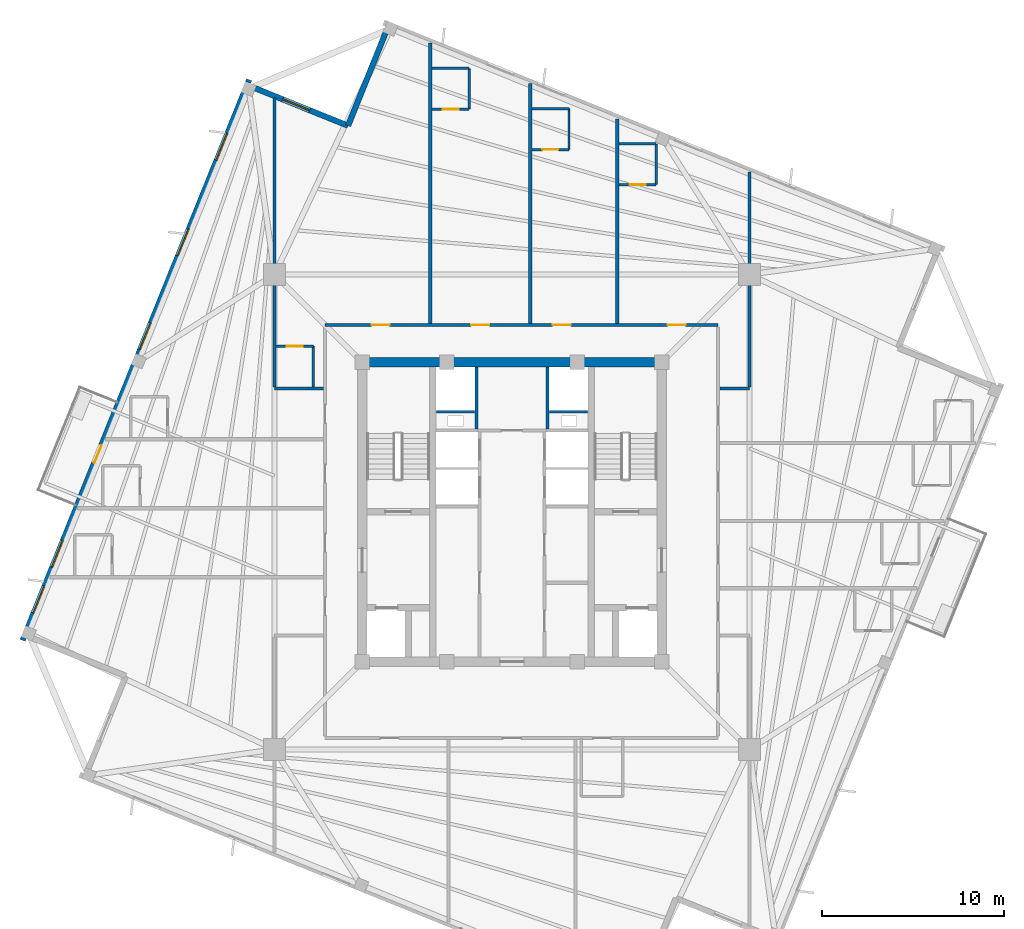
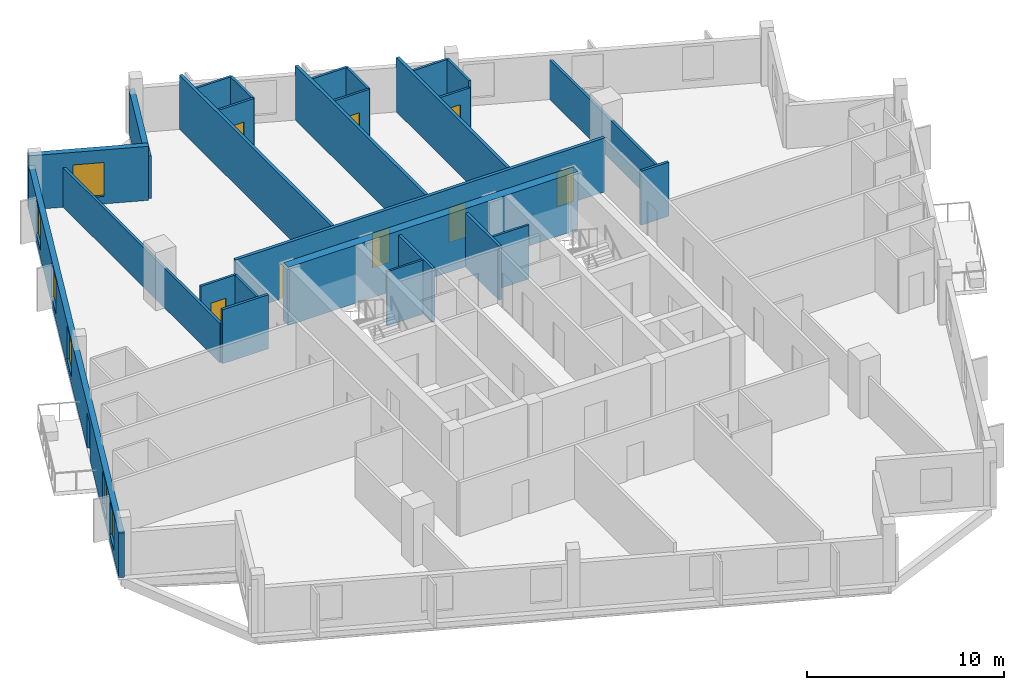
# One storey, part 5 of 9: 27 walls, 9 doors, 6 windows, 15 openings.
"""IFC4 building model written with IfcOpenShell, lengths in metres."""

from ifc_helpers import new_model, si_unit, direction, frame, frame_2d, origin, place, context, subcontext, project, spatial, rectangle, extrude, source, transform, mapped, material, layer, layer_set, type_object, element, fill, save


model = new_model("IFC4")

# Units and contexts
model_context = context("Model", 3, precision=1e-05, world=origin(), true_north=direction((0.0, 1.0)))
body_context = subcontext(model_context, "Body", "Model", "MODEL_VIEW")
ifc_project = project(units=[si_unit("LENGTHUNIT", "METRE"), si_unit("AREAUNIT", "SQUARE_METRE"), si_unit("VOLUMEUNIT", "CUBIC_METRE"), si_unit("PLANEANGLEUNIT", "RADIAN"), si_unit("MASSUNIT", "GRAM", prefix="KILO"), si_unit("THERMODYNAMICTEMPERATUREUNIT", "KELVIN")], contexts=[model_context])

# Site, building, storey
site_placement = place(None, origin())
site = spatial("IfcSite", under=ifc_project, at=site_placement, CompositionType="ELEMENT")
building_placement = place(site_placement, origin())
building = spatial("IfcBuilding", under=site, at=building_placement, Name="Kosmvard Interchange Tower", CompositionType="ELEMENT")
storey_placement = place(building_placement, frame((0.0, 0.0, 301.199951171875)))
storey = spatial("IfcBuildingStorey", under=building, at=storey_placement, Name="L74", CompositionType="ELEMENT", Elevation=301.199951171875)

# Walls
ifc_material_1 = material(Name="Acoustic gypsum partition system")
ifc_layer_1 = layer(ifc_material_1, 0.14990234375, Name="Acoustic gypsum partition system")
ifc_layer_set_1 = layer_set([ifc_layer_1], Name="Acoustic gypsum partition system")
wall_type_1 = type_object("IfcWallType", Name="Acoustic Suite & Meeting Partition 150", PredefinedType="PARTITIONING", material=ifc_layer_set_1)
wall_1_placement = place(storey_placement, frame((-10.39501953125, 6.800048828125, 0.0), z_axis=(0.0, 0.0, 1.0), x_axis=(-1.0, 0.0, 0.0)))
element("IfcWall", 1, at=wall_1_placement, inside=storey, type_object=wall_type_1, Name="L74 Room Partition 12.1", PredefinedType="PARTITIONING", context=body_context, shape_type="SweptSolid", body=[
    extrude(rectangle(XDim=2.68603515625, YDim=0.14990234375, at=frame_2d((1.343017578125, 0.0))), origin(), (0.0, 0.0, 1.0), 3.35009765625),
])
wall_2_placement = place(storey_placement, frame((-13.0810546875, 6.875, 0.0), z_axis=(0.0, 0.0, 1.0), x_axis=(0.0, 1.0, 0.0)))
element("IfcWall", 2, at=wall_2_placement, inside=storey, type_object=wall_type_1, Name="L74 Room Partition 13.1", PredefinedType="PARTITIONING", context=body_context, shape_type="SweptSolid", body=[
    extrude(rectangle(XDim=15.941650390625, YDim=0.14990234375, at=frame_2d((7.970703125, 0.0))), origin(), (0.0, 0.0, 1.0), 2.449951171875),
])
wall_3_placement = place(storey_placement, frame((11.445068359375, 6.800048828125, 0.0), z_axis=(0.0, 0.0, 1.0), x_axis=(1.0, 0.0, 0.0)))
element("IfcWall", 3, at=wall_3_placement, inside=storey, type_object=wall_type_1, Name="L74 Room Partition 14.1", PredefinedType="PARTITIONING", context=body_context, shape_type="SweptSolid", body=[
    extrude(rectangle(XDim=1.635986328125, YDim=0.14990234375, at=frame_2d((0.81787109375, 0.0))), origin(), (0.0, 0.0, 1.0), 3.35009765625),
])
wall_4_placement = place(storey_placement, frame((13.0810546875, 6.875, 0.0), z_axis=(0.0, 0.0, 1.0), x_axis=(0.0, 1.0, 0.0)))
element("IfcWall", 4, at=wall_4_placement, inside=storey, type_object=wall_type_1, Name="L74 Room Partition 15.1", PredefinedType="PARTITIONING", context=body_context, shape_type="SweptSolid", body=[
    extrude(rectangle(XDim=11.8427734375, YDim=0.14990234375, at=frame_2d((5.92138671875, 0.0))), origin(), (0.0, 0.0, 1.0), 2.449951171875),
])
ifc_material_2 = material(Name="Fire-rated gypsum partition system")
ifc_layer_2 = layer(ifc_material_2, 0.159912109375, Name="Fire-rated gypsum partition system")
ifc_layer_set_2 = layer_set([ifc_layer_2], Name="Fire-rated gypsum partition system")
wall_type_2 = type_object("IfcWallType", Name="Core Compartment & Shuttle Lobby Partition 160", PredefinedType="PARTITIONING", material=ifc_layer_set_2)
for number, where, z_axis, x_axis, name in (
    (5, (-1.9599609375, 4.580078125, 0.0), (0.0, 0.0, 1.0), (0.0, 1.0, 0.0), "L74 North Core West Wall"),
    (6, (1.9599609375, 4.580078125, 0.0), (0.0, 0.0, 1.0), (0.0, 1.0, 0.0), "L74 North Core East Wall"),
):
    element("IfcWall", number, at=place(storey_placement, frame(where, z_axis=z_axis, x_axis=x_axis)), inside=storey, type_object=wall_type_2, Name=name, PredefinedType="PARTITIONING", context=body_context, shape_type="SweptSolid", body=[
        extrude(rectangle(XDim=3.39990234375, YDim=0.159912109375, at=frame_2d((1.699951171875, 0.0))), origin(), (0.0, 0.0, 1.0), 3.35009765625),
    ])

# Wall, openings, doors
ifc_layer_3 = layer(ifc_material_2, 0.179931640625, Name="Fire-rated gypsum partition system")
ifc_layer_set_3 = layer_set([ifc_layer_3], Name="Fire-rated gypsum partition system")
wall_type_3 = type_object("IfcWallType", Name="Corridor & Hotel Compartment Partition 180", PredefinedType="PARTITIONING", material=ifc_layer_set_3)
wall_5_placement = place(storey_placement, frame((-10.300048828125, 10.300048828125, 0.0), z_axis=(0.0, 0.0, 1.0), x_axis=(1.0, 0.0, 0.0)))
wall_5 = element("IfcWall", 7, at=wall_5_placement, inside=storey, type_object=wall_type_3, Name="L74 Corridor Wall CN", PredefinedType="PARTITIONING", context=body_context, shape_type="SweptSolid", body=[
    extrude(rectangle(XDim=21.650146484375, YDim=0.179931640625, at=frame_2d((10.8251953125, 0.0))), origin(), (0.0, 0.0, 1.0), 3.35009765625),
])
opening_1_placement = place(wall_5_placement, frame((2.564453125, 0.0, 0.0)))
opening_1 = element("IfcOpeningElement", 8, at=opening_1_placement, cuts=wall_5, Name="Opening L74-D06", PredefinedType="OPENING", context=body_context, shape_type="SweptSolid", body=[
    extrude(rectangle(XDim=1.0, YDim=2.14990234375, at=frame_2d((0.5, 1.074951171875))), frame((0.0, 0.10009765625, 0.0), z_axis=(0.0, -1.0, 0.0), x_axis=(1.0, 0.0, 0.0)), (0.0, 0.0, 1.0), 0.199951171875),
])
opening_2_placement = place(wall_5_placement, frame((8.050048828125, 0.0, 0.0)))
opening_2 = element("IfcOpeningElement", 9, at=opening_2_placement, cuts=wall_5, Name="Opening L74-D08", PredefinedType="OPENING", context=body_context, shape_type="SweptSolid", body=[
    extrude(rectangle(XDim=1.0, YDim=2.14990234375, at=frame_2d((0.5, 1.074951171875))), frame((0.0, 0.10009765625, 0.0), z_axis=(0.0, -1.0, 0.0), x_axis=(1.0, 0.0, 0.0)), (0.0, 0.0, 1.0), 0.199951171875),
])
opening_3_placement = place(wall_5_placement, frame((12.5400390625, 0.0, 0.0)))
opening_3 = element("IfcOpeningElement", 10, at=opening_3_placement, cuts=wall_5, Name="Opening L74-D10", PredefinedType="OPENING", context=body_context, shape_type="SweptSolid", body=[
    extrude(rectangle(XDim=1.0, YDim=2.14990234375, at=frame_2d((0.5, 1.074951171875))), frame((0.0, 0.10009765625, 0.0), z_axis=(0.0, -1.0, 0.0), x_axis=(1.0, 0.0, 0.0)), (0.0, 0.0, 1.0), 0.199951171875),
])
opening_4_placement = place(wall_5_placement, frame((18.87060546875, 0.0, 0.0)))
opening_4 = element("IfcOpeningElement", 11, at=opening_4_placement, cuts=wall_5, Name="Opening L74-D12", PredefinedType="OPENING", context=body_context, shape_type="SweptSolid", body=[
    extrude(rectangle(XDim=1.0, YDim=2.14990234375, at=frame_2d((0.5, 1.074951171875))), frame((0.0, 0.10009765625, 0.0), z_axis=(0.0, -1.0, 0.0), x_axis=(1.0, 0.0, 0.0)), (0.0, 0.0, 1.0), 0.199951171875),
])
ifc_material_3 = material(Name="Engineered oak fire-rated timber", Category="wood")
door_type_1 = type_object("IfcDoorType", Name="Hotel Guestroom Entrance Door 1000x2150 EI60", OperationType="NOTDEFINED", PredefinedType="DOOR", material=ifc_material_3)
shared_shape_1 = source(origin(), body_context, "Body", "SweptSolid", [
    extrude(rectangle(XDim=1.0, YDim=2.14990234375, at=frame_2d((0.5, 1.074951171875))), frame((0.0, 0.02490234375, 0.0), z_axis=(0.0, -1.0, 0.0), x_axis=(1.0, 0.0, 0.0)), (0.0, 0.0, 1.0), 0.050048828125),
])
door_1_placement = place(opening_1_placement, origin())
door_1 = element("IfcDoor", 12, at=door_1_placement, inside=storey, type_object=door_type_1, Name="L74 Hotel Corner Suite 1 Door", OperationType="SINGLE_SWING_RIGHT", OverallHeight=2.14990234375, OverallWidth=1.0, PredefinedType="DOOR", context=body_context, shape_type="MappedRepresentation", body=[
    mapped(shared_shape_1, transform((0.0, 0.0, 0.0), scale=1.0)),
])
fill(opening_1, door_1)
door_2_placement = place(opening_2_placement, origin())
door_2 = element("IfcDoor", 13, at=door_2_placement, inside=storey, type_object=door_type_1, Name="L74 Hotel King Junior Suite 3 Door", OperationType="SINGLE_SWING_RIGHT", OverallHeight=2.14990234375, OverallWidth=1.0, PredefinedType="DOOR", context=body_context, shape_type="MappedRepresentation", body=[
    mapped(shared_shape_1, transform((0.0, 0.0, 0.0), scale=1.0)),
])
fill(opening_2, door_2)
door_3_placement = place(opening_3_placement, origin())
door_3 = element("IfcDoor", 14, at=door_3_placement, inside=storey, type_object=door_type_1, Name="L74 Hotel Twin Guest Room 4 Door", OperationType="SINGLE_SWING_RIGHT", OverallHeight=2.14990234375, OverallWidth=1.0, PredefinedType="DOOR", context=body_context, shape_type="MappedRepresentation", body=[
    mapped(shared_shape_1, transform((0.0, 0.0, 0.0), scale=1.0)),
])
fill(opening_3, door_3)
door_4_placement = place(opening_4_placement, origin())
door_4 = element("IfcDoor", 15, at=door_4_placement, inside=storey, type_object=door_type_1, Name="L74 Hotel Queen Junior Suite 5 Door", OperationType="SINGLE_SWING_RIGHT", OverallHeight=2.14990234375, OverallWidth=1.0, PredefinedType="DOOR", context=body_context, shape_type="MappedRepresentation", body=[
    mapped(shared_shape_1, transform((0.0, 0.0, 0.0), scale=1.0)),
])
fill(opening_4, door_4)

# Walls
wall_6_placement = place(storey_placement, frame((-4.5, 10.39501953125, 0.0), z_axis=(0.0, 0.0, 1.0), x_axis=(0.0, 1.0, 0.0)))
element("IfcWall", 16, at=wall_6_placement, inside=storey, type_object=wall_type_3, Name="L74 Room Partition 01.1", PredefinedType="PARTITIONING", context=body_context, shape_type="SweptSolid", body=[
    extrude(rectangle(XDim=15.42578125, YDim=0.179931640625, at=frame_2d((7.712890625, 0.0))), origin(), (0.0, 0.0, 1.0), 3.35009765625),
])
wall_7_placement = place(storey_placement, frame((1.0, 10.39501953125, 0.0), z_axis=(0.0, 0.0, 1.0), x_axis=(0.0, 1.0, 0.0)))
element("IfcWall", 17, at=wall_7_placement, inside=storey, type_object=wall_type_3, Name="L74 Room Partition 02.1", PredefinedType="PARTITIONING", context=body_context, shape_type="SweptSolid", body=[
    extrude(rectangle(XDim=13.203857421875, YDim=0.179931640625, at=frame_2d((6.60205078125, 0.0))), origin(), (0.0, 0.0, 1.0), 3.35009765625),
])
wall_8_placement = place(storey_placement, frame((5.800048828125, 10.39501953125, 0.0), z_axis=(0.0, 0.0, 1.0), x_axis=(0.0, 1.0, 0.0)))
element("IfcWall", 18, at=wall_8_placement, inside=storey, type_object=wall_type_3, Name="L74 Room Partition 03.1", PredefinedType="PARTITIONING", context=body_context, shape_type="SweptSolid", body=[
    extrude(rectangle(XDim=11.264404296875, YDim=0.179931640625, at=frame_2d((5.63232421875, 0.0))), origin(), (0.0, 0.0, 1.0), 3.35009765625),
])
ifc_material_4 = material(Name="Fire-rated gypsum shaftwall system")
ifc_layer_4 = layer(ifc_material_4, 0.1201171875, Name="Fire-rated gypsum shaftwall system")
ifc_layer_set_4 = layer_set([ifc_layer_4], Name="Fire-rated gypsum shaftwall system")
wall_type_4 = type_object("IfcWallType", Name="Shaft & Riser Fire Partition 120 EI60", PredefinedType="PARTITIONING", material=ifc_layer_set_4)
for number, where, z_axis, x_axis, name in (
    (19, (-4.159912109375, 5.52001953125, 0.0), (0.0, 0.0, 1.0), (1.0, 0.0, 0.0), "L74 Riser Shaft Divider W"),
    (20, (2.06005859375, 5.52001953125, 0.0), (0.0, 0.0, 1.0), (1.0, 0.0, 0.0), "L74 Riser Shaft Divider E"),
):
    element("IfcWall", number, at=place(storey_placement, frame(where, z_axis=z_axis, x_axis=x_axis)), inside=storey, type_object=wall_type_4, Name=name, PredefinedType="PARTITIONING", context=body_context, shape_type="SweptSolid", body=[
        extrude(rectangle(XDim=2.099853515625, YDim=0.1201171875, at=frame_2d((1.0498046875, 0.0))), origin(), (0.0, 0.0, 1.0), 3.35009765625),
    ])
ifc_material_5 = material(Name="Concrete C60/75", Category="concrete")
ifc_layer_5 = layer(ifc_material_5, 0.5, Name="Concrete C60/75")
ifc_layer_set_5 = layer_set([ifc_layer_5], Name="Concrete C60/75")
wall_type_5 = type_object("IfcWallType", Name="Upper Core Shear Wall 500 C60/75", PredefinedType="SHEAR", material=ifc_layer_set_5)
wall_9_placement = place(storey_placement, frame((-8.5, 8.25, 0.0), z_axis=(0.0, 0.0, 1.0), x_axis=(1.0, 0.0, 0.0)))
element("IfcWall", 21, at=wall_9_placement, inside=storey, type_object=wall_type_5, Name="L74 Core Shear Wall CW-N", PredefinedType="SHEAR", context=body_context, shape_type="SweptSolid", body=[
    extrude(rectangle(XDim=17.0, YDim=0.5, at=frame_2d((8.5, 0.0))), origin(), (0.0, 0.0, 1.0), 3.60009765625),
])
ifc_material_6 = material(Name="Precast concrete C45/55", Category="concrete")
ifc_layer_6 = layer(ifc_material_6, 0.31005859375, Name="Precast concrete C45/55")
ifc_layer_set_6 = layer_set([ifc_layer_6], Name="Precast concrete C45/55")
wall_type_6 = type_object("IfcWallType", Name="Upper Tower Precast Pier Wall 310 C45/55", PredefinedType="STANDARD", material=ifc_layer_set_6)
wall_10_placement = place(storey_placement, frame((-6.7841796875, 26.8408203125, 0.0), z_axis=(0.0, 0.0, 1.0), x_axis=(-0.374636620962, -0.927171722085, 0.0)))
element("IfcWall", 22, at=wall_10_placement, inside=storey, type_object=wall_type_6, Name="L74 Precast Facade Wall N-NE1", PredefinedType="STANDARD", context=body_context, shape_type="SweptSolid", body=[
    extrude(rectangle(XDim=6.0, YDim=0.31005859375, at=frame_2d((3.0, 0.0))), origin(), (0.0, 0.0, 1.0), 2.650146484375),
])

# Wall, opening, window
wall_11_placement = place(storey_placement, frame((-9.031982421875, 21.27783203125, 0.0), z_axis=(0.0, 0.0, 1.0), x_axis=(-0.927185411764, 0.374602739196, 0.0)))
wall_11 = element("IfcWall", 23, at=wall_11_placement, inside=storey, type_object=wall_type_6, Name="L74 Precast Facade Wall N-NE2", PredefinedType="STANDARD", context=body_context, shape_type="SweptSolid", body=[
    extrude(rectangle(XDim=6.155029296875, YDim=0.31005859375, at=frame_2d((3.07763671875, 0.0))), origin(), (0.0, 0.0, 1.0), 3.35009765625),
])
opening_5_placement = place(wall_11_placement, frame((2.277587890625, 0.0, 0.469970703125)))
opening_5 = element("IfcOpeningElement", 24, at=opening_5_placement, cuts=wall_11, Name="Opening L74-W20", PredefinedType="OPENING", context=body_context, shape_type="SweptSolid", body=[
    extrude(rectangle(XDim=1.60009765625, YDim=2.10009765625, at=frame_2d((0.800048828125, 1.050048828125))), frame((0.0, 0.1650390625, 0.0), z_axis=(0.0, -1.0, 0.0), x_axis=(1.0, 0.0, 0.0)), (0.0, 0.0, 1.0), 0.330078125),
])
ifc_material_7 = material(Name="Low-E acoustic double glazing", Category="glass")
window_type = type_object("IfcWindowType", Name="Zone 5 Hotel Punched Window 1600x2100", PartitioningType="SINGLE_PANEL", PredefinedType="WINDOW", material=ifc_material_7)
shared_shape_2 = source(origin(), body_context, "Body", "SweptSolid", [
    extrude(rectangle(XDim=1.60009765625, YDim=2.10009765625, at=frame_2d((0.800048828125, 1.050048828125))), frame((0.0, 0.030029296875, 0.0), z_axis=(0.0, -1.0, 0.0), x_axis=(1.0, 0.0, 0.0)), (0.0, 0.0, 1.0), 0.06005859375),
])
window_1_placement = place(opening_5_placement, origin())
window_1 = element("IfcWindow", 25, at=window_1_placement, inside=storey, type_object=window_type, Name="L74 Corner Notch Window 20", OverallHeight=2.10009765625, OverallWidth=1.60009765625, PartitioningType="SINGLE_PANEL", PredefinedType="WINDOW", context=body_context, shape_type="MappedRepresentation", body=[
    mapped(shared_shape_2, transform((0.0, 0.0, 0.0), scale=1.0)),
])
fill(opening_5, window_1)

# Wall, openings, door, windows
wall_12_placement = place(storey_placement, frame((-14.478759765625, 23.812744140625, 0.0), z_axis=(0.0, 0.0, 1.0), x_axis=(-0.374609557019, -0.927182657188, 0.0)))
wall_12 = element("IfcWall", 26, at=wall_12_placement, inside=storey, type_object=wall_type_6, Name="L74 Precast Facade Wall F-N", PredefinedType="STANDARD", context=body_context, shape_type="SweptSolid", body=[
    extrude(rectangle(XDim=33.31005859375, YDim=0.31005859375, at=frame_2d((16.655029296875, 0.0))), origin(), (0.0, 0.0, 1.0), 2.75),
])
opening_6_placement = place(wall_12_placement, frame((21.72998046875, 0.0, 0.0)))
opening_6 = element("IfcOpeningElement", 27, at=opening_6_placement, cuts=wall_12, Name="Opening L74-BDE", PredefinedType="OPENING", context=body_context, shape_type="SweptSolid", body=[
    extrude(rectangle(XDim=1.050048828125, YDim=2.25, at=frame_2d((0.52490234375, 1.125))), frame((0.0, 0.1650390625, 0.0), z_axis=(0.0, -1.0, 0.0), x_axis=(1.0, 0.0, 0.0)), (0.0, 0.0, 1.0), 0.330078125),
])
opening_7_placement = place(wall_12_placement, frame((3.197265625, 0.0, 0.469970703125)))
opening_7 = element("IfcOpeningElement", 28, at=opening_7_placement, cuts=wall_12, Name="Opening L74-W10", PredefinedType="OPENING", context=body_context, shape_type="SweptSolid", body=[
    extrude(rectangle(XDim=1.60009765625, YDim=2.10009765625, at=frame_2d((0.800048828125, 1.050048828125))), frame((0.0, 0.1650390625, 0.0), z_axis=(0.0, -1.0, 0.0), x_axis=(1.0, 0.0, 0.0)), (0.0, 0.0, 1.0), 0.330078125),
])
opening_8_placement = place(wall_12_placement, frame((8.85986328125, 0.0, 0.469970703125)))
opening_8 = element("IfcOpeningElement", 29, at=opening_8_placement, cuts=wall_12, Name="Opening L74-W11", PredefinedType="OPENING", context=body_context, shape_type="SweptSolid", body=[
    extrude(rectangle(XDim=1.60009765625, YDim=2.10009765625, at=frame_2d((0.800048828125, 1.050048828125))), frame((0.0, 0.1650390625, 0.0), z_axis=(0.0, -1.0, 0.0), x_axis=(1.0, 0.0, 0.0)), (0.0, 0.0, 1.0), 0.330078125),
])
opening_9_placement = place(wall_12_placement, frame((14.438720703125, 0.0, 0.469970703125)))
opening_9 = element("IfcOpeningElement", 30, at=opening_9_placement, cuts=wall_12, Name="Opening L74-W12", PredefinedType="OPENING", context=body_context, shape_type="SweptSolid", body=[
    extrude(rectangle(XDim=1.60009765625, YDim=2.10009765625, at=frame_2d((0.800048828125, 1.050048828125))), frame((0.0, 0.1650390625, 0.0), z_axis=(0.0, -1.0, 0.0), x_axis=(1.0, 0.0, 0.0)), (0.0, 0.0, 1.0), 0.330078125),
])
opening_10_placement = place(wall_12_placement, frame((30.0966796875, 0.0, 0.469970703125)))
opening_10 = element("IfcOpeningElement", 31, at=opening_10_placement, cuts=wall_12, Name="Opening L74-W13", PredefinedType="OPENING", context=body_context, shape_type="SweptSolid", body=[
    extrude(rectangle(XDim=1.60009765625, YDim=2.10009765625, at=frame_2d((0.800048828125, 1.050048828125))), frame((0.0, 0.1650390625, 0.0), z_axis=(0.0, -1.0, 0.0), x_axis=(1.0, 0.0, 0.0)), (0.0, 0.0, 1.0), 0.330078125),
])
opening_11_placement = place(wall_12_placement, frame((27.374267578125, 0.0, 0.469970703125)))
opening_11 = element("IfcOpeningElement", 32, at=opening_11_placement, cuts=wall_12, Name="Opening L74-DW24", PredefinedType="OPENING", context=body_context, shape_type="SweptSolid", body=[
    extrude(rectangle(XDim=1.60009765625, YDim=2.10009765625, at=frame_2d((0.800048828125, 1.050048828125))), frame((0.0, 0.1650390625, 0.0), z_axis=(0.0, -1.0, 0.0), x_axis=(1.0, 0.0, 0.0)), (0.0, 0.0, 1.0), 0.330078125),
])
ifc_material_8 = material(Name="Anodised aluminium and safety glass", Category="aluminium")
door_type_2 = type_object("IfcDoorType", Name="Tree-Balcony Glazed Door 1050x2250", OperationType="NOTDEFINED", PredefinedType="DOOR", material=ifc_material_8)
shared_shape_3 = source(origin(), body_context, "Body", "SweptSolid", [
    extrude(rectangle(XDim=1.050048828125, YDim=2.25, at=frame_2d((0.52490234375, 1.125))), frame((0.0, 0.02490234375, 0.0), z_axis=(0.0, -1.0, 0.0), x_axis=(1.0, 0.0, 0.0)), (0.0, 0.0, 1.0), 0.050048828125),
])
door_5_placement = place(opening_6_placement, origin())
door_5 = element("IfcDoor", 33, at=door_5_placement, inside=storey, type_object=door_type_2, Name="L74 Tree-Balcony Door BAL-L74-NE", OperationType="SINGLE_SWING_LEFT", OverallHeight=2.25, OverallWidth=1.050048828125, PredefinedType="DOOR", context=body_context, shape_type="MappedRepresentation", body=[
    mapped(shared_shape_3, transform((0.0, 0.0, 0.0), scale=1.0)),
])
fill(opening_6, door_5)
window_2_placement = place(opening_7_placement, origin())
window_2 = element("IfcWindow", 34, at=window_2_placement, inside=storey, type_object=window_type, Name="L74 Facade Punched Window 10", OverallHeight=2.10009765625, OverallWidth=1.60009765625, PartitioningType="SINGLE_PANEL", PredefinedType="WINDOW", context=body_context, shape_type="MappedRepresentation", body=[
    mapped(shared_shape_2, transform((0.0, 0.0, 0.0), scale=1.0)),
])
fill(opening_7, window_2)
window_3_placement = place(opening_8_placement, origin())
window_3 = element("IfcWindow", 35, at=window_3_placement, inside=storey, type_object=window_type, Name="L74 Facade Punched Window 11", OverallHeight=2.10009765625, OverallWidth=1.60009765625, PartitioningType="SINGLE_PANEL", PredefinedType="WINDOW", context=body_context, shape_type="MappedRepresentation", body=[
    mapped(shared_shape_2, transform((0.0, 0.0, 0.0), scale=1.0)),
])
fill(opening_8, window_3)
window_4_placement = place(opening_9_placement, origin())
window_4 = element("IfcWindow", 36, at=window_4_placement, inside=storey, type_object=window_type, Name="L74 Facade Punched Window 12", OverallHeight=2.10009765625, OverallWidth=1.60009765625, PartitioningType="SINGLE_PANEL", PredefinedType="WINDOW", context=body_context, shape_type="MappedRepresentation", body=[
    mapped(shared_shape_2, transform((0.0, 0.0, 0.0), scale=1.0)),
])
fill(opening_9, window_4)
window_5_placement = place(opening_10_placement, origin())
window_5 = element("IfcWindow", 37, at=window_5_placement, inside=storey, type_object=window_type, Name="L74 Facade Punched Window 13", OverallHeight=2.10009765625, OverallWidth=1.60009765625, PartitioningType="SINGLE_PANEL", PredefinedType="WINDOW", context=body_context, shape_type="MappedRepresentation", body=[
    mapped(shared_shape_2, transform((0.0, 0.0, 0.0), scale=1.0)),
])
fill(opening_10, window_5)
window_6_placement = place(opening_11_placement, origin())
window_6 = element("IfcWindow", 38, at=window_6_placement, inside=storey, type_object=window_type, Name="L74 Guest Room Punched Window 24", OverallHeight=2.10009765625, OverallWidth=1.60009765625, PartitioningType="SINGLE_PANEL", PredefinedType="WINDOW", context=body_context, shape_type="MappedRepresentation", body=[
    mapped(shared_shape_2, transform((0.0, 0.0, 0.0), scale=1.0)),
])
fill(opening_11, window_6)

# Wall
ifc_material_9 = material(Name="Moisture-resistant gypsum partition")
ifc_layer_7 = layer(ifc_material_9, 0.135009765625, Name="Moisture-resistant gypsum partition")
ifc_layer_set_7 = layer_set([ifc_layer_7], Name="Moisture-resistant gypsum partition")
wall_type_7 = type_object("IfcWallType", Name="Wet Room Moisture-Resistant Partition 135", PredefinedType="PARTITIONING", material=ifc_layer_set_7)
wall_13_placement = place(storey_placement, frame((-10.94091796875, 6.889892578125, 0.0), z_axis=(0.0, 0.0, 1.0), x_axis=(0.0, 1.0, 0.0)))
element("IfcWall", 39, at=wall_13_placement, inside=storey, type_object=wall_type_7, Name="L74 En-Suite Partition HCS1-E", PredefinedType="PARTITIONING", context=body_context, shape_type="SweptSolid", body=[
    extrude(rectangle(XDim=2.25, YDim=0.135009765625, at=frame_2d((1.125, 0.0))), origin(), (0.0, 0.0, 1.0), 3.35009765625),
])

# Wall, opening, door
wall_14_placement = place(storey_placement, frame((-12.990966796875, 9.139892578125, 0.0), z_axis=(0.0, 0.0, 1.0), x_axis=(1.0, 0.0, 0.0)))
wall_14 = element("IfcWall", 40, at=wall_14_placement, inside=storey, type_object=wall_type_7, Name="L74 En-Suite Partition HCS1-N", PredefinedType="PARTITIONING", context=body_context, shape_type="SweptSolid", body=[
    extrude(rectangle(XDim=2.050048828125, YDim=0.135009765625, at=frame_2d((1.02490234375, 0.0))), origin(), (0.0, 0.0, 1.0), 3.35009765625),
])
opening_12_placement = place(wall_14_placement, frame((0.5849609375, 0.0, 0.0)))
opening_12 = element("IfcOpeningElement", 41, at=opening_12_placement, cuts=wall_14, Name="Opening L74-ED07", PredefinedType="OPENING", context=body_context, shape_type="SweptSolid", body=[
    extrude(rectangle(XDim=0.8798828125, YDim=2.10009765625, at=frame_2d((0.43994140625, 1.050048828125))), frame((0.0, 0.07763671875, 0.0), z_axis=(0.0, -1.0, 0.0), x_axis=(1.0, 0.0, 0.0)), (0.0, 0.0, 1.0), 0.155029296875),
])
ifc_material_10 = material(Name="Laminated moisture-resistant timber", Category="wood")
door_type_3 = type_object("IfcDoorType", Name="En-Suite & Washroom Door 880x2100", OperationType="NOTDEFINED", PredefinedType="DOOR", material=ifc_material_10)
shared_shape_4 = source(origin(), body_context, "Body", "SweptSolid", [
    extrude(rectangle(XDim=0.8798828125, YDim=2.10009765625, at=frame_2d((0.43994140625, 1.050048828125))), frame((0.0, 0.02490234375, 0.0), z_axis=(0.0, -1.0, 0.0), x_axis=(1.0, 0.0, 0.0)), (0.0, 0.0, 1.0), 0.050048828125),
])
door_6_placement = place(opening_12_placement, frame((0.8798828125, 0.0, 0.0), z_axis=(0.0, 0.0, 1.0), x_axis=(-1.0, 0.0, 0.0)))
door_6 = element("IfcDoor", 42, at=door_6_placement, inside=storey, type_object=door_type_3, Name="L74 HCS1 En-Suite Door", OperationType="SINGLE_SWING_RIGHT", OverallHeight=2.10009765625, OverallWidth=0.8798828125, PredefinedType="DOOR", context=body_context, shape_type="MappedRepresentation", body=[
    mapped(shared_shape_4, transform((0.0, 0.0, 0.0), scale=1.0)),
])
fill(opening_12, door_6)

wall_15_placement = place(storey_placement, frame((-4.409912109375, 22.1875, 0.0), z_axis=(0.0, 0.0, 1.0), x_axis=(1.0, 0.0, 0.0)))
wall_15 = element("IfcWall", 43, at=wall_15_placement, inside=storey, type_object=wall_type_7, Name="L74 En-Suite Partition HGR3-S", PredefinedType="PARTITIONING", context=body_context, shape_type="SweptSolid", body=[
    extrude(rectangle(XDim=2.0498046875, YDim=0.135009765625, at=frame_2d((1.02490234375, 0.0))), origin(), (0.0, 0.0, 1.0), 3.35009765625),
])
opening_13_placement = place(wall_15_placement, frame((0.5849609375, 0.0, 0.0)))
opening_13 = element("IfcOpeningElement", 44, at=opening_13_placement, cuts=wall_15, Name="Opening L74-ED09", PredefinedType="OPENING", context=body_context, shape_type="SweptSolid", body=[
    extrude(rectangle(XDim=0.8798828125, YDim=2.10009765625, at=frame_2d((0.43994140625, 1.050048828125))), frame((0.0, 0.07763671875, 0.0), z_axis=(0.0, -1.0, 0.0), x_axis=(1.0, 0.0, 0.0)), (0.0, 0.0, 1.0), 0.155029296875),
])
door_7_placement = place(opening_13_placement, origin())
door_7 = element("IfcDoor", 45, at=door_7_placement, inside=storey, type_object=door_type_3, Name="L74 HGR3 En-Suite Door", OperationType="SINGLE_SWING_RIGHT", OverallHeight=2.10009765625, OverallWidth=0.8798828125, PredefinedType="DOOR", context=body_context, shape_type="MappedRepresentation", body=[
    mapped(shared_shape_4, transform((0.0, 0.0, 0.0), scale=1.0)),
])
fill(opening_13, door_7)

# Walls
wall_16_placement = place(storey_placement, frame((-2.360107421875, 22.1875, 0.0), z_axis=(0.0, 0.0, 1.0), x_axis=(0.0, 1.0, 0.0)))
element("IfcWall", 46, at=wall_16_placement, inside=storey, type_object=wall_type_7, Name="L74 En-Suite Partition HGR3-E", PredefinedType="PARTITIONING", context=body_context, shape_type="SweptSolid", body=[
    extrude(rectangle(XDim=2.25, YDim=0.135009765625, at=frame_2d((1.125, 0.0))), origin(), (0.0, 0.0, 1.0), 3.35009765625),
])
wall_17_placement = place(storey_placement, frame((-4.409912109375, 24.4375, 0.0), z_axis=(0.0, 0.0, 1.0), x_axis=(1.0, 0.0, 0.0)))
element("IfcWall", 47, at=wall_17_placement, inside=storey, type_object=wall_type_7, Name="L74 En-Suite Partition HGR3-N", PredefinedType="PARTITIONING", context=body_context, shape_type="SweptSolid", body=[
    extrude(rectangle(XDim=2.0498046875, YDim=0.135009765625, at=frame_2d((1.02490234375, 0.0))), origin(), (0.0, 0.0, 1.0), 3.35009765625),
])

# Wall, opening, door
wall_18_placement = place(storey_placement, frame((1.090087890625, 19.96533203125, 0.0), z_axis=(0.0, 0.0, 1.0), x_axis=(1.0, 0.0, 0.0)))
wall_18 = element("IfcWall", 48, at=wall_18_placement, inside=storey, type_object=wall_type_7, Name="L74 En-Suite Partition HGR4-S", PredefinedType="PARTITIONING", context=body_context, shape_type="SweptSolid", body=[
    extrude(rectangle(XDim=2.0498046875, YDim=0.135009765625, at=frame_2d((1.02490234375, 0.0))), origin(), (0.0, 0.0, 1.0), 3.35009765625),
])
opening_14_placement = place(wall_18_placement, frame((0.5849609375, 0.0, 0.0)))
opening_14 = element("IfcOpeningElement", 49, at=opening_14_placement, cuts=wall_18, Name="Opening L74-ED11", PredefinedType="OPENING", context=body_context, shape_type="SweptSolid", body=[
    extrude(rectangle(XDim=0.8798828125, YDim=2.10009765625, at=frame_2d((0.43994140625, 1.050048828125))), frame((0.0, 0.07763671875, 0.0), z_axis=(0.0, -1.0, 0.0), x_axis=(1.0, 0.0, 0.0)), (0.0, 0.0, 1.0), 0.155029296875),
])
door_8_placement = place(opening_14_placement, origin())
door_8 = element("IfcDoor", 50, at=door_8_placement, inside=storey, type_object=door_type_3, Name="L74 HGR4 En-Suite Door", OperationType="SINGLE_SWING_RIGHT", OverallHeight=2.10009765625, OverallWidth=0.8798828125, PredefinedType="DOOR", context=body_context, shape_type="MappedRepresentation", body=[
    mapped(shared_shape_4, transform((0.0, 0.0, 0.0), scale=1.0)),
])
fill(opening_14, door_8)

# Walls
wall_19_placement = place(storey_placement, frame((3.139892578125, 19.96533203125, 0.0), z_axis=(0.0, 0.0, 1.0), x_axis=(0.0, 1.0, 0.0)))
element("IfcWall", 51, at=wall_19_placement, inside=storey, type_object=wall_type_7, Name="L74 En-Suite Partition HGR4-E", PredefinedType="PARTITIONING", context=body_context, shape_type="SweptSolid", body=[
    extrude(rectangle(XDim=2.25, YDim=0.135009765625, at=frame_2d((1.125, 0.0))), origin(), (0.0, 0.0, 1.0), 3.35009765625),
])
wall_20_placement = place(storey_placement, frame((1.090087890625, 22.21533203125, 0.0), z_axis=(0.0, 0.0, 1.0), x_axis=(1.0, 0.0, 0.0)))
element("IfcWall", 52, at=wall_20_placement, inside=storey, type_object=wall_type_7, Name="L74 En-Suite Partition HGR4-N", PredefinedType="PARTITIONING", context=body_context, shape_type="SweptSolid", body=[
    extrude(rectangle(XDim=2.0498046875, YDim=0.135009765625, at=frame_2d((1.02490234375, 0.0))), origin(), (0.0, 0.0, 1.0), 3.35009765625),
])

# Wall, opening, door
wall_21_placement = place(storey_placement, frame((5.889892578125, 18.026123046875, 0.0), z_axis=(0.0, 0.0, 1.0), x_axis=(1.0, 0.0, 0.0)))
wall_21 = element("IfcWall", 53, at=wall_21_placement, inside=storey, type_object=wall_type_7, Name="L74 En-Suite Partition HGR5-S", PredefinedType="PARTITIONING", context=body_context, shape_type="SweptSolid", body=[
    extrude(rectangle(XDim=2.050048828125, YDim=0.135009765625, at=frame_2d((1.02490234375, 0.0))), origin(), (0.0, 0.0, 1.0), 2.949951171875),
])
opening_15_placement = place(wall_21_placement, frame((0.5849609375, 0.0, 0.0)))
opening_15 = element("IfcOpeningElement", 54, at=opening_15_placement, cuts=wall_21, Name="Opening L74-ED13", PredefinedType="OPENING", context=body_context, shape_type="SweptSolid", body=[
    extrude(rectangle(XDim=0.8798828125, YDim=2.10009765625, at=frame_2d((0.43994140625, 1.050048828125))), frame((0.0, 0.07763671875, 0.0), z_axis=(0.0, -1.0, 0.0), x_axis=(1.0, 0.0, 0.0)), (0.0, 0.0, 1.0), 0.155029296875),
])
door_9_placement = place(opening_15_placement, origin())
door_9 = element("IfcDoor", 55, at=door_9_placement, inside=storey, type_object=door_type_3, Name="L74 HGR5 En-Suite Door", OperationType="SINGLE_SWING_RIGHT", OverallHeight=2.10009765625, OverallWidth=0.8798828125, PredefinedType="DOOR", context=body_context, shape_type="MappedRepresentation", body=[
    mapped(shared_shape_4, transform((0.0, 0.0, 0.0), scale=1.0)),
])
fill(opening_15, door_9)

# Walls
wall_22_placement = place(storey_placement, frame((7.93994140625, 18.026123046875, 0.0), z_axis=(0.0, 0.0, 1.0), x_axis=(0.0, 1.0, 0.0)))
element("IfcWall", 56, at=wall_22_placement, inside=storey, type_object=wall_type_7, Name="L74 En-Suite Partition HGR5-E", PredefinedType="PARTITIONING", context=body_context, shape_type="SweptSolid", body=[
    extrude(rectangle(XDim=2.25, YDim=0.135009765625, at=frame_2d((1.125, 0.0))), origin(), (0.0, 0.0, 1.0), 3.35009765625),
])
wall_23_placement = place(storey_placement, frame((5.889892578125, 20.276123046875, 0.0), z_axis=(0.0, 0.0, 1.0), x_axis=(1.0, 0.0, 0.0)))
element("IfcWall", 57, at=wall_23_placement, inside=storey, type_object=wall_type_7, Name="L74 En-Suite Partition HGR5-N", PredefinedType="PARTITIONING", context=body_context, shape_type="SweptSolid", body=[
    extrude(rectangle(XDim=2.050048828125, YDim=0.135009765625, at=frame_2d((1.02490234375, 0.0))), origin(), (0.0, 0.0, 1.0), 3.35009765625),
])

save(model, "model.ifc")
